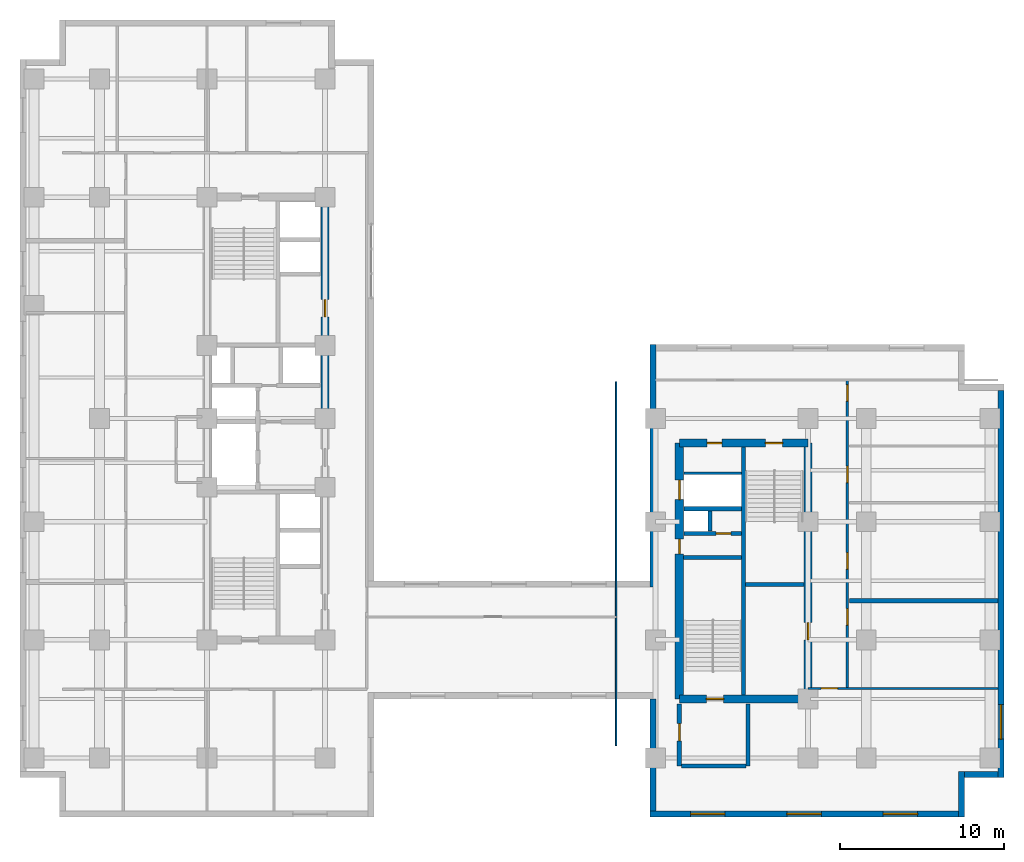
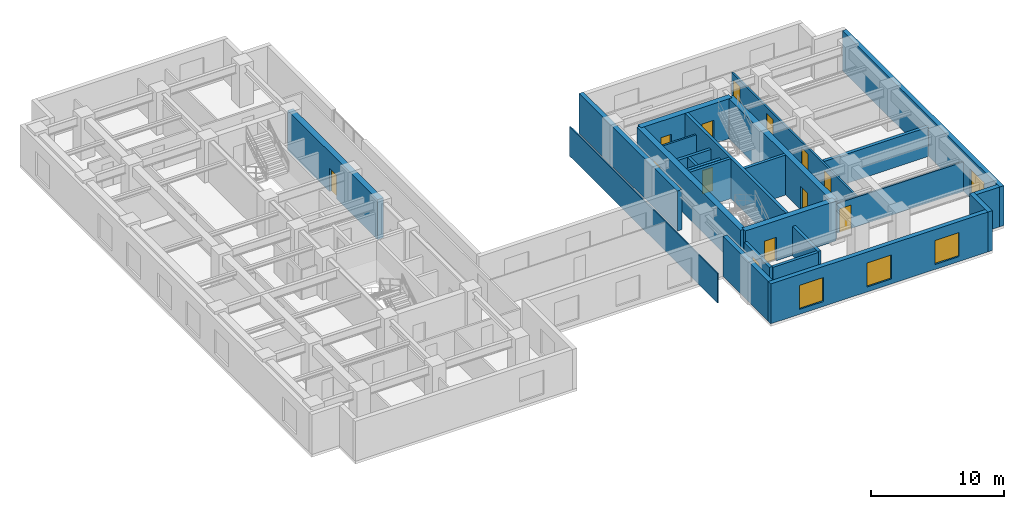
# One storey, part 7 of 11: 25 walls, 14 doors, 4 windows, 18 openings.
"""IFC4 building model written with IfcOpenShell, lengths in metres."""

from ifc_helpers import new_model, entity, si_unit, converted_unit, direction, frame, origin_with_axes, origin_2d_with_axis, place, context, subcontext, project, spatial, polyline, rectangle, outline, extrude, material, layer, layer_set, type_object, element, fill, save


model = new_model("IFC4")

# Units and contexts
model_context = context("Model", 3, precision=1e-05, world=origin_with_axes(), true_north=direction((0.0, 1.0)))
body_context = subcontext(model_context, "Body", "Model", "MODEL_VIEW")
ifc_project = project(units=[si_unit("LENGTHUNIT", "METRE"), si_unit("AREAUNIT", "SQUARE_METRE"), si_unit("VOLUMEUNIT", "CUBIC_METRE"), converted_unit("PLANEANGLEUNIT", "DEGREE", entity("IfcPlaneAngleMeasure", 0.017453292519943295), si_unit("PLANEANGLEUNIT", "RADIAN"), dimensions=[0, 0, 0, 0, 0, 0, 0]), si_unit("MASSUNIT", "GRAM", prefix="KILO"), si_unit("THERMODYNAMICTEMPERATUREUNIT", "KELVIN")], contexts=[model_context])

# Site, building, storey
site_placement = place(None, origin_with_axes())
site = spatial("IfcSite", under=ifc_project, at=site_placement, CompositionType="ELEMENT")
building_placement = place(site_placement, origin_with_axes())
building = spatial("IfcBuilding", under=site, at=building_placement, Name="Varnlund Millrace Tower", CompositionType="ELEMENT")
storey_placement = place(building_placement, frame((0.0, 0.0, 104.7), z_axis=(0.0, 0.0, 1.0), x_axis=(1.0, 0.0, 0.0)))
storey = spatial("IfcBuildingStorey", under=building, at=storey_placement, Name="L25", CompositionType="ELEMENT", Elevation=104.7)

# Wall, opening, door
ifc_material_1 = material(Name="Concrete C70/85", Category="concrete")
ifc_layer_1 = layer(ifc_material_1, 0.5, Name="Concrete C70/85")
ifc_layer_set_1 = layer_set([ifc_layer_1], Name="Concrete C70/85")
wall_type_1 = type_object("IfcWallType", Name="Type-CoreWall-Shear-500-C70", PredefinedType="SHEAR", material=ifc_layer_set_1)
wall_1_placement = place(storey_placement, frame((18.6, 24.3, 0.0), z_axis=(0.0, 0.0, 1.0), x_axis=(0.0, 1.0, 0.0)))
wall_1 = element("IfcWall", 1, at=wall_1_placement, inside=storey, type_object=wall_type_1, Name="Type-CoreWall-Shear-500-C70", PredefinedType="SHEAR", context=body_context, shape_type="SweptSolid", body=[
    extrude(outline(polyline([(0.0, -0.25), (13.5, -0.25), (13.5, 0.25), (0.0, 0.25), (0.0, -0.25)])), origin_with_axes(), (0.0, 0.0, 1.0), 3.66),
])
opening_1_placement = place(wall_1_placement, frame((6.725, 0.0, 0.0), z_axis=(0.0, 0.0, 1.0), x_axis=(1.0, 0.0, 0.0)))
opening_1 = element("IfcOpeningElement", 2, at=opening_1_placement, cuts=wall_1, Name="Opening L25:DR-CA-WC1", PredefinedType="OPENING", context=body_context, shape_type="SweptSolid", body=[
    extrude(rectangle(XDim=1.05, YDim=0.52, at=origin_2d_with_axis()), origin_with_axes(), (0.0, 0.0, 1.0), 2.15),
])
ifc_material_2 = material(Name="Smoke-barrier hollow steel fire door", Category="steel")
door_type_1 = type_object("IfcDoorType", Name="Type-FireDoor-Lobby-1050X2150", OperationType="NOTDEFINED", PredefinedType="DOOR", material=ifc_material_2)
door_1_placement = place(wall_1_placement, frame((6.725, 0.0, 0.0), z_axis=(0.0, 0.0, 1.0), x_axis=(1.0, 0.0, 0.0)))
door_1 = element("IfcDoor", 3, at=door_1_placement, inside=storey, type_object=door_type_1, Name="Type-FireDoor-Lobby-1050X2150", OperationType="SINGLE_SWING_LEFT", OverallHeight=2.15, OverallWidth=1.05, PredefinedType="DOOR", context=body_context, shape_type="SweptSolid", body=[
    extrude(rectangle(XDim=1.05, YDim=0.09, at=origin_2d_with_axis()), origin_with_axes(), (0.0, 0.0, 1.0), 2.15),
])
fill(opening_1, door_1)

# Wall, openings, doors
wall_2_placement = place(storey_placement, frame((40.2, 7.2, 0.0), z_axis=(0.0, 0.0, 1.0), x_axis=(0.0, 1.0, 0.0)))
wall_2 = element("IfcWall", 4, at=wall_2_placement, inside=storey, type_object=wall_type_1, Name="Type-CoreWall-Shear-500-C70", PredefinedType="SHEAR", context=body_context, shape_type="SweptSolid", body=[
    extrude(outline(polyline([(0.0, -0.25), (15.6, -0.25), (15.6, 0.25), (0.0, 0.25), (0.0, -0.25)])), origin_with_axes(), (0.0, 0.0, 1.0), 3.66),
])
opening_2_placement = place(wall_2_placement, frame((12.75, 0.0, 0.0), z_axis=(0.0, 0.0, 1.0), x_axis=(1.0, 0.0, 0.0)))
opening_2 = element("IfcOpeningElement", 5, at=opening_2_placement, cuts=wall_2, Name="Opening L25:LD-SRV2", PredefinedType="OPENING", context=body_context, shape_type="SweptSolid", body=[
    extrude(rectangle(XDim=1.2, YDim=0.52, at=origin_2d_with_axis()), origin_with_axes(), (0.0, 0.0, 1.0), 2.15),
])
opening_3_placement = place(wall_2_placement, frame((9.3, 0.0, 0.0), z_axis=(0.0, 0.0, 1.0), x_axis=(1.0, 0.0, 0.0)))
opening_3 = element("IfcOpeningElement", 6, at=opening_3_placement, cuts=wall_2, Name="Opening L25:DR-CB-JAN", PredefinedType="OPENING", context=body_context, shape_type="SweptSolid", body=[
    extrude(rectangle(XDim=0.9, YDim=0.52, at=origin_2d_with_axis()), origin_with_axes(), (0.0, 0.0, 1.0), 2.15),
])
ifc_material_3 = material(Name="Fire-rated hollow steel service closet door", Category="steel")
door_type_2 = type_object("IfcDoorType", Name="Type-FireDoor-Closet-900X2150", OperationType="NOTDEFINED", PredefinedType="DOOR", material=ifc_material_3)
door_2_placement = place(wall_2_placement, frame((9.3, 0.0, 0.0), z_axis=(0.0, 0.0, 1.0), x_axis=(1.0, 0.0, 0.0)))
door_2 = element("IfcDoor", 7, at=door_2_placement, inside=storey, type_object=door_type_2, Name="Type-FireDoor-Closet-900X2150", OperationType="SINGLE_SWING_RIGHT", OverallHeight=2.15, OverallWidth=0.9, PredefinedType="DOOR", context=body_context, shape_type="SweptSolid", body=[
    extrude(rectangle(XDim=0.9, YDim=0.09, at=origin_2d_with_axis()), origin_with_axes(), (0.0, 0.0, 1.0), 2.15),
])
fill(opening_3, door_2)
ifc_material_4 = material(Name="Heavy-duty freight sliding landing door")
door_type_3 = type_object("IfcDoorType", Name="Type-LiftLandingDoor-Service-1200X2150", OperationType="NOTDEFINED", PredefinedType="DOOR", material=ifc_material_4)
door_3_placement = place(wall_2_placement, frame((12.75, 0.0, 0.0), z_axis=(0.0, 0.0, 1.0), x_axis=(1.0, 0.0, 0.0)))
door_3 = element("IfcDoor", 8, at=door_3_placement, inside=storey, type_object=door_type_3, Name="Type-LiftLandingDoor-Service-1200X2150", OperationType="DOUBLE_DOOR_SLIDING", OverallHeight=2.15, OverallWidth=1.2, PredefinedType="DOOR", context=body_context, shape_type="SweptSolid", body=[
    extrude(rectangle(XDim=1.2, YDim=0.09, at=origin_2d_with_axis()), origin_with_axes(), (0.0, 0.0, 1.0), 2.15),
])
fill(opening_2, door_3)

# Wall, opening, door
wall_3_placement = place(storey_placement, frame((40.2, 7.2, 0.0), z_axis=(0.0, 0.0, 1.0), x_axis=(1.0, 0.0, 0.0)))
wall_3 = element("IfcWall", 9, at=wall_3_placement, inside=storey, type_object=wall_type_1, Name="Type-CoreWall-Shear-500-C70", PredefinedType="SHEAR", context=body_context, shape_type="SweptSolid", body=[
    extrude(outline(polyline([(0.0, -0.25), (7.85, -0.25), (7.85, 0.25), (0.0, 0.25), (0.0, -0.25)])), origin_with_axes(), (0.0, 0.0, 1.0), 3.66),
])
opening_4_placement = place(wall_3_placement, frame((2.175, 0.0, 0.0), z_axis=(0.0, 0.0, 1.0), x_axis=(1.0, 0.0, 0.0)))
opening_4 = element("IfcOpeningElement", 10, at=opening_4_placement, cuts=wall_3, Name="Opening L25:DR-STB1", PredefinedType="OPENING", context=body_context, shape_type="SweptSolid", body=[
    extrude(rectangle(XDim=1.05, YDim=0.52, at=origin_2d_with_axis()), origin_with_axes(), (0.0, 0.0, 1.0), 2.15),
])
ifc_material_5 = material(Name="Fire-rated hollow steel door", Category="steel")
door_type_4 = type_object("IfcDoorType", Name="Type-FireDoor-Stair-1050X2150", OperationType="NOTDEFINED", PredefinedType="DOOR", material=ifc_material_5)
door_4_placement = place(wall_3_placement, frame((2.175, 0.0, 0.0), z_axis=(0.0, 0.0, 1.0), x_axis=(1.0, 0.0, 0.0)))
door_4 = element("IfcDoor", 11, at=door_4_placement, inside=storey, type_object=door_type_4, Name="Type-FireDoor-Stair-1050X2150", OperationType="SINGLE_SWING_LEFT", OverallHeight=2.15, OverallWidth=1.05, PredefinedType="DOOR", context=body_context, shape_type="SweptSolid", body=[
    extrude(rectangle(XDim=1.05, YDim=0.09, at=origin_2d_with_axis()), origin_with_axes(), (0.0, 0.0, 1.0), 2.15),
])
fill(opening_4, door_4)

# Wall, openings, doors
wall_4_placement = place(storey_placement, frame((40.2, 22.8, 0.0), z_axis=(0.0, 0.0, 1.0), x_axis=(1.0, 0.0, 0.0)))
wall_4 = element("IfcWall", 12, at=wall_4_placement, inside=storey, type_object=wall_type_1, Name="Type-CoreWall-Shear-500-C70", PredefinedType="SHEAR", context=body_context, shape_type="SweptSolid", body=[
    extrude(outline(polyline([(0.0, -0.25), (7.85, -0.25), (7.85, 0.25), (0.0, 0.25), (0.0, -0.25)])), origin_with_axes(), (0.0, 0.0, 1.0), 3.66),
])
opening_5_placement = place(wall_4_placement, frame((5.775, 0.0, 0.0), z_axis=(0.0, 0.0, 1.0), x_axis=(1.0, 0.0, 0.0)))
opening_5 = element("IfcOpeningElement", 13, at=opening_5_placement, cuts=wall_4, Name="Opening L25:DR-STB2", PredefinedType="OPENING", context=body_context, shape_type="SweptSolid", body=[
    extrude(rectangle(XDim=1.05, YDim=0.52, at=origin_2d_with_axis()), origin_with_axes(), (0.0, 0.0, 1.0), 2.15),
])
opening_6_placement = place(wall_4_placement, frame((2.15, 0.0, 0.0), z_axis=(0.0, 0.0, 1.0), x_axis=(1.0, 0.0, 0.0)))
opening_6 = element("IfcOpeningElement", 14, at=opening_6_placement, cuts=wall_4, Name="Opening L25:DR-CB-NW", PredefinedType="OPENING", context=body_context, shape_type="SweptSolid", body=[
    extrude(rectangle(XDim=0.9, YDim=0.52, at=origin_2d_with_axis()), origin_with_axes(), (0.0, 0.0, 1.0), 2.15),
])
door_5_placement = place(wall_4_placement, frame((2.15, 0.0, 0.0), z_axis=(0.0, 0.0, 1.0), x_axis=(1.0, 0.0, 0.0)))
door_5 = element("IfcDoor", 15, at=door_5_placement, inside=storey, type_object=door_type_2, Name="Type-FireDoor-Closet-900X2150", OperationType="SINGLE_SWING_LEFT", OverallHeight=2.15, OverallWidth=0.9, PredefinedType="DOOR", context=body_context, shape_type="SweptSolid", body=[
    extrude(rectangle(XDim=0.9, YDim=0.09, at=origin_2d_with_axis()), origin_with_axes(), (0.0, 0.0, 1.0), 2.15),
])
fill(opening_6, door_5)
door_6_placement = place(wall_4_placement, frame((5.775, 0.0, 0.0), z_axis=(0.0, 0.0, 1.0), x_axis=(1.0, 0.0, 0.0)))
door_6 = element("IfcDoor", 16, at=door_6_placement, inside=storey, type_object=door_type_4, Name="Type-FireDoor-Stair-1050X2150", OperationType="SINGLE_SWING_RIGHT", OverallHeight=2.15, OverallWidth=1.05, PredefinedType="DOOR", context=body_context, shape_type="SweptSolid", body=[
    extrude(rectangle(XDim=1.05, YDim=0.09, at=origin_2d_with_axis()), origin_with_axes(), (0.0, 0.0, 1.0), 2.15),
])
fill(opening_5, door_6)

# Wall, opening, door
wall_5_placement = place(storey_placement, frame((48.05, 7.2, 0.0), z_axis=(0.0, 0.0, 1.0), x_axis=(0.0, 1.0, 0.0)))
wall_5 = element("IfcWall", 17, at=wall_5_placement, inside=storey, type_object=wall_type_1, Name="Type-CoreWall-Shear-500-C70", PredefinedType="SHEAR", context=body_context, shape_type="SweptSolid", body=[
    extrude(outline(polyline([(0.0, -0.25), (15.6, -0.25), (15.6, 0.25), (0.0, 0.25), (0.0, -0.25)])), origin_with_axes(), (0.0, 0.0, 1.0), 3.66),
])
opening_7_placement = place(wall_5_placement, frame((4.125, 0.0, 0.0), z_axis=(0.0, 0.0, 1.0), x_axis=(1.0, 0.0, 0.0)))
opening_7 = element("IfcOpeningElement", 18, at=opening_7_placement, cuts=wall_5, Name="Opening L25:DR-CB-WC", PredefinedType="OPENING", context=body_context, shape_type="SweptSolid", body=[
    extrude(rectangle(XDim=1.05, YDim=0.52, at=origin_2d_with_axis()), origin_with_axes(), (0.0, 0.0, 1.0), 2.15),
])
door_7_placement = place(wall_5_placement, frame((4.125, 0.0, 0.0), z_axis=(0.0, 0.0, 1.0), x_axis=(1.0, 0.0, 0.0)))
door_7 = element("IfcDoor", 19, at=door_7_placement, inside=storey, type_object=door_type_1, Name="Type-FireDoor-Lobby-1050X2150", OperationType="SINGLE_SWING_LEFT", OverallHeight=2.15, OverallWidth=1.05, PredefinedType="DOOR", context=body_context, shape_type="SweptSolid", body=[
    extrude(rectangle(XDim=1.05, YDim=0.09, at=origin_2d_with_axis()), origin_with_axes(), (0.0, 0.0, 1.0), 2.15),
])
fill(opening_7, door_7)

# Wall
ifc_material_6 = material(Name="Precast concrete C50/60", Category="concrete")
ifc_layer_2 = layer(ifc_material_6, 0.38, Name="Precast concrete C50/60")
ifc_layer_set_2 = layer_set([ifc_layer_2], Name="Precast concrete C50/60")
wall_type_2 = type_object("IfcWallType", Name="Type-ExtWall-Precast-Tube-380", PredefinedType="SOLIDWALL", material=ifc_layer_set_2)
wall_6_placement = place(storey_placement, frame((38.59, 14.02, 0.0), z_axis=(0.0, 0.0, 1.0), x_axis=(0.0, 1.0, 0.0)))
element("IfcWall", 20, at=wall_6_placement, inside=storey, type_object=wall_type_2, Name="Type-ExtWall-Precast-Tube-380", PredefinedType="SOLIDWALL", context=body_context, shape_type="SweptSolid", body=[
    extrude(outline(polyline([(0.0, -0.19), (14.78, -0.19), (14.78, 0.19), (0.0, 0.19), (0.0, -0.19)])), origin_with_axes(), (0.0, 0.0, 1.0), 3.66),
])

# Wall, opening, window
wall_7_placement = place(storey_placement, frame((59.81, 26.02, 0.0), z_axis=(0.0, 0.0, 1.0), x_axis=(0.0, -1.0, 0.0)))
wall_7 = element("IfcWall", 21, at=wall_7_placement, inside=storey, type_object=wall_type_2, Name="Type-ExtWall-Precast-Tube-380", PredefinedType="SOLIDWALL", context=body_context, shape_type="SweptSolid", body=[
    extrude(outline(polyline([(0.0, -0.19), (23.62, -0.19), (23.62, 0.19), (0.0, 0.19), (0.0, -0.19)])), origin_with_axes(), (0.0, 0.0, 1.0), 3.66),
])
opening_8_placement = place(wall_7_placement, frame((20.218, 0.0, 0.45), z_axis=(0.0, 0.0, 1.0), x_axis=(1.0, 0.0, 0.0)))
opening_8 = element("IfcOpeningElement", 22, at=opening_8_placement, cuts=wall_7, Name="Opening L25:WN-04", PredefinedType="OPENING", context=body_context, shape_type="SweptSolid", body=[
    extrude(rectangle(XDim=2.1, YDim=0.4, at=origin_2d_with_axis()), origin_with_axes(), (0.0, 0.0, 1.0), 2.2),
])
ifc_material_7 = material(Name="Argon low-e triple glazing in thermally broken bronze frame", Category="glass")
window_type = type_object("IfcWindowType", Name="Type-Window-Punched-2100X2200", PartitioningType="SINGLE_PANEL", PredefinedType="WINDOW", material=ifc_material_7)
window_1_placement = place(wall_7_placement, frame((20.218, 0.0, 0.45), z_axis=(0.0, 0.0, 1.0), x_axis=(1.0, 0.0, 0.0)))
window_1 = element("IfcWindow", 23, at=window_1_placement, inside=storey, type_object=window_type, Name="Type-Window-Punched-2100X2200", OverallHeight=2.2, OverallWidth=2.1, PredefinedType="WINDOW", context=body_context, shape_type="SweptSolid", body=[
    extrude(rectangle(XDim=2.1, YDim=0.09, at=origin_2d_with_axis()), origin_with_axes(), (0.0, 0.0, 1.0), 2.2),
])
fill(opening_8, window_1)

# Walls
wall_8_placement = place(storey_placement, frame((59.62, 2.59, 0.0), z_axis=(0.0, 0.0, 1.0), x_axis=(-1.0, 0.0, 0.0)))
element("IfcWall", 24, at=wall_8_placement, inside=storey, type_object=wall_type_2, Name="Type-ExtWall-Precast-Tube-380", PredefinedType="SOLIDWALL", context=body_context, shape_type="SweptSolid", body=[
    extrude(outline(polyline([(0.0, -0.19), (2.02, -0.19), (2.02, 0.19), (0.0, 0.19), (0.0, -0.19)])), origin_with_axes(), (0.0, 0.0, 1.0), 3.66),
])
wall_9_placement = place(storey_placement, frame((57.41, 2.78, 0.0), z_axis=(0.0, 0.0, 1.0), x_axis=(0.0, -1.0, 0.0)))
element("IfcWall", 25, at=wall_9_placement, inside=storey, type_object=wall_type_2, Name="Type-ExtWall-Precast-Tube-380", PredefinedType="SOLIDWALL", context=body_context, shape_type="SweptSolid", body=[
    extrude(outline(polyline([(0.0, -0.19), (2.78, -0.19), (2.78, 0.19), (0.0, 0.19), (0.0, -0.19)])), origin_with_axes(), (0.0, 0.0, 1.0), 3.66),
])

# Wall, openings, windows
wall_10_placement = place(storey_placement, frame((57.22, 0.19, 0.0), z_axis=(0.0, 0.0, 1.0), x_axis=(-1.0, 0.0, 0.0)))
wall_10 = element("IfcWall", 26, at=wall_10_placement, inside=storey, type_object=wall_type_2, Name="Type-ExtWall-Precast-Tube-380", PredefinedType="SOLIDWALL", context=body_context, shape_type="SweptSolid", body=[
    extrude(outline(polyline([(0.0, -0.19), (18.82, -0.19), (18.82, 0.19), (0.0, 0.19), (0.0, -0.19)])), origin_with_axes(), (0.0, 0.0, 1.0), 3.66),
])
opening_9_placement = place(wall_10_placement, frame((3.537, 0.0, 0.45), z_axis=(0.0, 0.0, 1.0), x_axis=(1.0, 0.0, 0.0)))
opening_9 = element("IfcOpeningElement", 27, at=opening_9_placement, cuts=wall_10, Name="Opening L25:WN-05", PredefinedType="OPENING", context=body_context, shape_type="SweptSolid", body=[
    extrude(rectangle(XDim=2.1, YDim=0.4, at=origin_2d_with_axis()), origin_with_axes(), (0.0, 0.0, 1.0), 2.2),
])
opening_10_placement = place(wall_10_placement, frame((9.41, 0.0, 0.45), z_axis=(0.0, 0.0, 1.0), x_axis=(1.0, 0.0, 0.0)))
opening_10 = element("IfcOpeningElement", 28, at=opening_10_placement, cuts=wall_10, Name="Opening L25:WN-06", PredefinedType="OPENING", context=body_context, shape_type="SweptSolid", body=[
    extrude(rectangle(XDim=2.1, YDim=0.4, at=origin_2d_with_axis()), origin_with_axes(), (0.0, 0.0, 1.0), 2.2),
])
opening_11_placement = place(wall_10_placement, frame((15.283, 0.0, 0.45), z_axis=(0.0, 0.0, 1.0), x_axis=(1.0, 0.0, 0.0)))
opening_11 = element("IfcOpeningElement", 29, at=opening_11_placement, cuts=wall_10, Name="Opening L25:WN-07", PredefinedType="OPENING", context=body_context, shape_type="SweptSolid", body=[
    extrude(rectangle(XDim=2.1, YDim=0.4, at=origin_2d_with_axis()), origin_with_axes(), (0.0, 0.0, 1.0), 2.2),
])
window_2_placement = place(wall_10_placement, frame((3.537, 0.0, 0.45), z_axis=(0.0, 0.0, 1.0), x_axis=(1.0, 0.0, 0.0)))
window_2 = element("IfcWindow", 30, at=window_2_placement, inside=storey, type_object=window_type, Name="Type-Window-Punched-2100X2200", OverallHeight=2.2, OverallWidth=2.1, PredefinedType="WINDOW", context=body_context, shape_type="SweptSolid", body=[
    extrude(rectangle(XDim=2.1, YDim=0.09, at=origin_2d_with_axis()), origin_with_axes(), (0.0, 0.0, 1.0), 2.2),
])
fill(opening_9, window_2)
window_3_placement = place(wall_10_placement, frame((9.41, 0.0, 0.45), z_axis=(0.0, 0.0, 1.0), x_axis=(1.0, 0.0, 0.0)))
window_3 = element("IfcWindow", 31, at=window_3_placement, inside=storey, type_object=window_type, Name="Type-Window-Punched-2100X2200", OverallHeight=2.2, OverallWidth=2.1, PredefinedType="WINDOW", context=body_context, shape_type="SweptSolid", body=[
    extrude(rectangle(XDim=2.1, YDim=0.09, at=origin_2d_with_axis()), origin_with_axes(), (0.0, 0.0, 1.0), 2.2),
])
fill(opening_10, window_3)
window_4_placement = place(wall_10_placement, frame((15.283, 0.0, 0.45), z_axis=(0.0, 0.0, 1.0), x_axis=(1.0, 0.0, 0.0)))
window_4 = element("IfcWindow", 32, at=window_4_placement, inside=storey, type_object=window_type, Name="Type-Window-Punched-2100X2200", OverallHeight=2.2, OverallWidth=2.1, PredefinedType="WINDOW", context=body_context, shape_type="SweptSolid", body=[
    extrude(rectangle(XDim=2.1, YDim=0.09, at=origin_2d_with_axis()), origin_with_axes(), (0.0, 0.0, 1.0), 2.2),
])
fill(opening_11, window_4)

# Walls
wall_11_placement = place(storey_placement, frame((38.59, 0.38, 0.0), z_axis=(0.0, 0.0, 1.0), x_axis=(0.0, 1.0, 0.0)))
element("IfcWall", 33, at=wall_11_placement, inside=storey, type_object=wall_type_2, Name="Type-ExtWall-Precast-Tube-380", PredefinedType="SOLIDWALL", context=body_context, shape_type="SweptSolid", body=[
    extrude(outline(polyline([(0.0, -0.19), (6.82, -0.19), (6.82, 0.19), (0.0, 0.19), (0.0, -0.19)])), origin_with_axes(), (0.0, 0.0, 1.0), 3.66),
])
ifc_material_8 = material(Name="Double-stud STC-60 conference acoustic partition", Category="gypsum")
ifc_layer_3 = layer(ifc_material_8, 0.28, Name="Double-stud STC-60 conference acoustic partition")
ifc_layer_set_3 = layer_set([ifc_layer_3], Name="Double-stud STC-60 conference acoustic partition")
wall_type_3 = type_object("IfcWallType", Name="Type-Partition-Acoustic-280", PredefinedType="PARTITIONING", material=ifc_layer_set_3)
wall_12_placement = place(storey_placement, frame((50.57, 13.192, 0.0), z_axis=(0.0, 0.0, 1.0), x_axis=(1.0, 0.0, 0.0)))
element("IfcWall", 34, at=wall_12_placement, inside=storey, type_object=wall_type_3, Name="Type-Partition-Acoustic-280", PredefinedType="PARTITIONING", context=body_context, shape_type="SweptSolid", body=[
    extrude(outline(polyline([(0.0, -0.14), (9.055, -0.14), (9.055, 0.14), (0.0, 0.14), (0.0, -0.14)])), origin_with_axes(), (0.0, 0.0, 1.0), 2.7),
])
ifc_material_9 = material(Name="Fire-rated gypsum board on cold-formed steel framing", Category="steel")
ifc_layer_4 = layer(ifc_material_9, 0.16, Name="Fire-rated gypsum board on cold-formed steel framing")
ifc_layer_set_4 = layer_set([ifc_layer_4], Name="Fire-rated gypsum board on cold-formed steel framing")
wall_type_4 = type_object("IfcWallType", Name="Type-Partition-Corridor-160", PredefinedType="PARTITIONING", material=ifc_layer_set_4)
wall_13_placement = place(storey_placement, frame((40.5, 20.96, 0.0), z_axis=(0.0, 0.0, 1.0), x_axis=(1.0, 0.0, 0.0)))
element("IfcWall", 35, at=wall_13_placement, inside=storey, type_object=wall_type_4, Name="Type-Partition-Corridor-160", PredefinedType="PARTITIONING", context=body_context, shape_type="SweptSolid", body=[
    extrude(outline(polyline([(0.0, -0.08), (3.5, -0.08), (3.5, 0.08), (0.0, 0.08), (0.0, -0.08)])), origin_with_axes(), (0.0, 0.0, 1.0), 2.7),
])

# Wall, openings, doors
wall_14_placement = place(storey_placement, frame((50.45, 7.85, 0.0), z_axis=(0.0, 0.0, 1.0), x_axis=(0.0, 1.0, 0.0)))
wall_14 = element("IfcWall", 36, at=wall_14_placement, inside=storey, type_object=wall_type_4, Name="Type-Partition-Corridor-160", PredefinedType="PARTITIONING", context=body_context, shape_type="SweptSolid", body=[
    extrude(outline(polyline([(0.0, -0.08), (18.8, -0.08), (18.8, 0.08), (0.0, 0.08), (0.0, -0.08)])), origin_with_axes(), (0.0, 0.0, 1.0), 2.7),
])
opening_12_placement = place(wall_14_placement, frame((4.351, 0.0, 0.0), z_axis=(0.0, 0.0, 1.0), x_axis=(1.0, 0.0, 0.0)))
opening_12 = element("IfcOpeningElement", 37, at=opening_12_placement, cuts=wall_14, Name="Opening L25:DR-WB-01", PredefinedType="OPENING", context=body_context, shape_type="SweptSolid", body=[
    extrude(rectangle(XDim=1.0, YDim=0.18, at=origin_2d_with_axis()), origin_with_axes(), (0.0, 0.0, 1.0), 2.15),
])
opening_13_placement = place(wall_14_placement, frame((7.768, 0.0, 0.0), z_axis=(0.0, 0.0, 1.0), x_axis=(1.0, 0.0, 0.0)))
opening_13 = element("IfcOpeningElement", 38, at=opening_13_placement, cuts=wall_14, Name="Opening L25:DR-WB-02", PredefinedType="OPENING", context=body_context, shape_type="SweptSolid", body=[
    extrude(rectangle(XDim=1.0, YDim=0.18, at=origin_2d_with_axis()), origin_with_axes(), (0.0, 0.0, 1.0), 2.15),
])
opening_14_placement = place(wall_14_placement, frame((13.043, 0.0, 0.0), z_axis=(0.0, 0.0, 1.0), x_axis=(1.0, 0.0, 0.0)))
opening_14 = element("IfcOpeningElement", 39, at=opening_14_placement, cuts=wall_14, Name="Opening L25:DR-WB-03", PredefinedType="OPENING", context=body_context, shape_type="SweptSolid", body=[
    extrude(rectangle(XDim=1.0, YDim=0.18, at=origin_2d_with_axis()), origin_with_axes(), (0.0, 0.0, 1.0), 2.15),
])
opening_15_placement = place(wall_14_placement, frame((18.005, 0.0, 0.0), z_axis=(0.0, 0.0, 1.0), x_axis=(1.0, 0.0, 0.0)))
opening_15 = element("IfcOpeningElement", 40, at=opening_15_placement, cuts=wall_14, Name="Opening L25:DR-WB-04", PredefinedType="OPENING", context=body_context, shape_type="SweptSolid", body=[
    extrude(rectangle(XDim=1.0, YDim=0.18, at=origin_2d_with_axis()), origin_with_axes(), (0.0, 0.0, 1.0), 2.15),
])
ifc_material_10 = material(Name="Solid-core white oak and bronze frame door")
door_type_5 = type_object("IfcDoorType", Name="Type-IntDoor-Office-1000X2150", OperationType="NOTDEFINED", PredefinedType="DOOR", material=ifc_material_10)
door_8_placement = place(wall_14_placement, frame((4.351, 0.0, 0.0), z_axis=(0.0, 0.0, 1.0), x_axis=(1.0, 0.0, 0.0)))
door_8 = element("IfcDoor", 41, at=door_8_placement, inside=storey, type_object=door_type_5, Name="Type-IntDoor-Office-1000X2150", OperationType="SINGLE_SWING_LEFT", OverallHeight=2.15, OverallWidth=1.0, PredefinedType="DOOR", context=body_context, shape_type="SweptSolid", body=[
    extrude(rectangle(XDim=1.0, YDim=0.09, at=origin_2d_with_axis()), origin_with_axes(), (0.0, 0.0, 1.0), 2.15),
])
fill(opening_12, door_8)
door_9_placement = place(wall_14_placement, frame((7.768, 0.0, 0.0), z_axis=(0.0, 0.0, 1.0), x_axis=(1.0, 0.0, 0.0)))
door_9 = element("IfcDoor", 42, at=door_9_placement, inside=storey, type_object=door_type_5, Name="Type-IntDoor-Office-1000X2150", OperationType="SINGLE_SWING_RIGHT", OverallHeight=2.15, OverallWidth=1.0, PredefinedType="DOOR", context=body_context, shape_type="SweptSolid", body=[
    extrude(rectangle(XDim=1.0, YDim=0.09, at=origin_2d_with_axis()), origin_with_axes(), (0.0, 0.0, 1.0), 2.15),
])
fill(opening_13, door_9)
door_10_placement = place(wall_14_placement, frame((13.043, 0.0, 0.0), z_axis=(0.0, 0.0, 1.0), x_axis=(1.0, 0.0, 0.0)))
door_10 = element("IfcDoor", 43, at=door_10_placement, inside=storey, type_object=door_type_5, Name="Type-IntDoor-Office-1000X2150", OperationType="SINGLE_SWING_LEFT", OverallHeight=2.15, OverallWidth=1.0, PredefinedType="DOOR", context=body_context, shape_type="SweptSolid", body=[
    extrude(rectangle(XDim=1.0, YDim=0.09, at=origin_2d_with_axis()), origin_with_axes(), (0.0, 0.0, 1.0), 2.15),
])
fill(opening_14, door_10)
door_11_placement = place(wall_14_placement, frame((18.005, 0.0, 0.0), z_axis=(0.0, 0.0, 1.0), x_axis=(1.0, 0.0, 0.0)))
door_11 = element("IfcDoor", 44, at=door_11_placement, inside=storey, type_object=door_type_5, Name="Type-IntDoor-Office-1000X2150", OperationType="SINGLE_SWING_RIGHT", OverallHeight=2.15, OverallWidth=1.0, PredefinedType="DOOR", context=body_context, shape_type="SweptSolid", body=[
    extrude(rectangle(XDim=1.0, YDim=0.09, at=origin_2d_with_axis()), origin_with_axes(), (0.0, 0.0, 1.0), 2.15),
])
fill(opening_15, door_11)

# Wall
ifc_material_11 = material(Name="Architectural bronze and acoustic glass office front", Category="glass")
ifc_layer_5 = layer(ifc_material_11, 0.1, Name="Architectural bronze and acoustic glass office front")
ifc_layer_set_5 = layer_set([ifc_layer_5], Name="Architectural bronze and acoustic glass office front")
wall_type_5 = type_object("IfcWallType", Name="Type-Partition-Glazed-100", PredefinedType="PARTITIONING", material=ifc_layer_set_5)
wall_15_placement = place(storey_placement, frame((36.35, 4.35, 0.0), z_axis=(0.0, 0.0, 1.0), x_axis=(0.0, 1.0, 0.0)))
element("IfcWall", 45, at=wall_15_placement, inside=storey, type_object=wall_type_5, Name="Type-Partition-Glazed-100", PredefinedType="PARTITIONING", context=body_context, shape_type="SweptSolid", body=[
    extrude(outline(polyline([(0.0, -0.05), (22.2, -0.05), (22.2, 0.05), (0.0, 0.05), (0.0, -0.05)])), origin_with_axes(), (0.0, 0.0, 1.0), 2.7),
])

# Wall, opening, door
ifc_material_12 = material(Name="Gypsum board tenant partition", Category="gypsum")
ifc_layer_6 = layer(ifc_material_12, 0.125, Name="Gypsum board tenant partition")
ifc_layer_set_6 = layer_set([ifc_layer_6], Name="Gypsum board tenant partition")
wall_type_6 = type_object("IfcWallType", Name="Type-Partition-Tenant-125", PredefinedType="PARTITIONING", material=ifc_layer_set_6)
wall_16_placement = place(storey_placement, frame((59.64, 7.85, 0.0), z_axis=(0.0, 0.0, 1.0), x_axis=(-1.0, 0.0, 0.0)))
wall_16 = element("IfcWall", 46, at=wall_16_placement, inside=storey, type_object=wall_type_6, Name="Type-Partition-Tenant-125", PredefinedType="PARTITIONING", context=body_context, shape_type="SweptSolid", body=[
    extrude(outline(polyline([(0.0, -0.0625), (11.59, -0.0625), (11.59, 0.0625), (0.0, 0.0625), (0.0, -0.0625)])), origin_with_axes(), (0.0, 0.0, 1.0), 2.7),
])
opening_16_placement = place(wall_16_placement, frame((10.29, 0.0, 0.0), z_axis=(0.0, 0.0, 1.0), x_axis=(1.0, 0.0, 0.0)))
opening_16 = element("IfcOpeningElement", 47, at=opening_16_placement, cuts=wall_16, Name="Opening L25:DR-WBS-01", PredefinedType="OPENING", context=body_context, shape_type="SweptSolid", body=[
    extrude(rectangle(XDim=1.0, YDim=0.145, at=origin_2d_with_axis()), origin_with_axes(), (0.0, 0.0, 1.0), 2.15),
])
door_12_placement = place(wall_16_placement, frame((10.29, 0.0, 0.0), z_axis=(0.0, 0.0, 1.0), x_axis=(1.0, 0.0, 0.0)))
door_12 = element("IfcDoor", 48, at=door_12_placement, inside=storey, type_object=door_type_5, Name="Type-IntDoor-Office-1000X2150", OperationType="SINGLE_SWING_LEFT", OverallHeight=2.15, OverallWidth=1.0, PredefinedType="DOOR", context=body_context, shape_type="SweptSolid", body=[
    extrude(rectangle(XDim=1.0, YDim=0.075, at=origin_2d_with_axis()), origin_with_axes(), (0.0, 0.0, 1.0), 2.15),
])
fill(opening_16, door_12)

ifc_material_13 = material(Name="Concrete C60/75", Category="concrete")
ifc_layer_7 = layer(ifc_material_13, 0.25, Name="Concrete C60/75")
ifc_layer_set_7 = layer_set([ifc_layer_7], Name="Concrete C60/75")
wall_type_7 = type_object("IfcWallType", Name="Type-ShaftWall-Fire-250", PredefinedType="SOLIDWALL", material=ifc_layer_set_7)
wall_17_placement = place(storey_placement, frame((40.5, 17.3, 0.0), z_axis=(0.0, 0.0, 1.0), x_axis=(1.0, 0.0, 0.0)))
wall_17 = element("IfcWall", 49, at=wall_17_placement, inside=storey, type_object=wall_type_7, Name="Type-ShaftWall-Fire-250", PredefinedType="SOLIDWALL", context=body_context, shape_type="SweptSolid", body=[
    extrude(outline(polyline([(0.0, -0.125), (3.5, -0.125), (3.5, 0.125), (0.0, 0.125), (0.0, -0.125)])), origin_with_axes(), (0.0, 0.0, 1.0), 2.7),
])
opening_17_placement = place(wall_17_placement, frame((2.4, 0.0, 0.0), z_axis=(0.0, 0.0, 1.0), x_axis=(1.0, 0.0, 0.0)))
opening_17 = element("IfcOpeningElement", 50, at=opening_17_placement, cuts=wall_17, Name="Opening L25:DR-CB-ELC", PredefinedType="OPENING", context=body_context, shape_type="SweptSolid", body=[
    extrude(rectangle(XDim=0.9, YDim=0.27, at=origin_2d_with_axis()), origin_with_axes(), (0.0, 0.0, 1.0), 2.15),
])
door_13_placement = place(wall_17_placement, frame((2.4, 0.0, 0.0), z_axis=(0.0, 0.0, 1.0), x_axis=(1.0, 0.0, 0.0)))
door_13 = element("IfcDoor", 51, at=door_13_placement, inside=storey, type_object=door_type_2, Name="Type-FireDoor-Closet-900X2150", OperationType="SINGLE_SWING_LEFT", OverallHeight=2.15, OverallWidth=0.9, PredefinedType="DOOR", context=body_context, shape_type="SweptSolid", body=[
    extrude(rectangle(XDim=0.9, YDim=0.09, at=origin_2d_with_axis()), origin_with_axes(), (0.0, 0.0, 1.0), 2.15),
])
fill(opening_17, door_13)

# Walls
wall_18_placement = place(storey_placement, frame((40.5, 18.8, 0.0), z_axis=(0.0, 0.0, 1.0), x_axis=(1.0, 0.0, 0.0)))
element("IfcWall", 52, at=wall_18_placement, inside=storey, type_object=wall_type_7, Name="Type-ShaftWall-Fire-250", PredefinedType="SOLIDWALL", context=body_context, shape_type="SweptSolid", body=[
    extrude(outline(polyline([(0.0, -0.125), (3.5, -0.125), (3.5, 0.125), (0.0, 0.125), (0.0, -0.125)])), origin_with_axes(), (0.0, 0.0, 1.0), 2.7),
])
wall_19_placement = place(storey_placement, frame((42.075, 17.43, 0.0), z_axis=(0.0, 0.0, 1.0), x_axis=(0.0, 1.0, 0.0)))
element("IfcWall", 53, at=wall_19_placement, inside=storey, type_object=wall_type_7, Name="Type-ShaftWall-Fire-250", PredefinedType="SOLIDWALL", context=body_context, shape_type="SweptSolid", body=[
    extrude(outline(polyline([(0.0, -0.125), (1.24, -0.125), (1.24, 0.125), (0.0, 0.125), (0.0, -0.125)])), origin_with_axes(), (0.0, 0.0, 1.0), 2.7),
])

# Wall, opening, door
wall_20_placement = place(storey_placement, frame((40.2, 3.1, 0.0), z_axis=(0.0, 0.0, 1.0), x_axis=(0.0, 1.0, 0.0)))
wall_20 = element("IfcWall", 54, at=wall_20_placement, inside=storey, type_object=wall_type_7, Name="Type-ShaftWall-Fire-250", PredefinedType="SOLIDWALL", context=body_context, shape_type="SweptSolid", body=[
    extrude(outline(polyline([(0.0, -0.125), (3.8, -0.125), (3.8, 0.125), (0.0, 0.125), (0.0, -0.125)])), origin_with_axes(), (0.0, 0.0, 1.0), 2.7),
])
opening_18_placement = place(wall_20_placement, frame((2.075, 0.0, 0.0), z_axis=(0.0, 0.0, 1.0), x_axis=(1.0, 0.0, 0.0)))
opening_18 = element("IfcOpeningElement", 55, at=opening_18_placement, cuts=wall_20, Name="Opening L25:DR-FFLOB-B", PredefinedType="OPENING", context=body_context, shape_type="SweptSolid", body=[
    extrude(rectangle(XDim=1.05, YDim=0.27, at=origin_2d_with_axis()), origin_with_axes(), (0.0, 0.0, 1.0), 2.15),
])
door_14_placement = place(wall_20_placement, frame((2.075, 0.0, 0.0), z_axis=(0.0, 0.0, 1.0), x_axis=(1.0, 0.0, 0.0)))
door_14 = element("IfcDoor", 56, at=door_14_placement, inside=storey, type_object=door_type_1, Name="Type-FireDoor-Lobby-1050X2150", OperationType="SINGLE_SWING_LEFT", OverallHeight=2.15, OverallWidth=1.05, PredefinedType="DOOR", context=body_context, shape_type="SweptSolid", body=[
    extrude(rectangle(XDim=1.05, YDim=0.09, at=origin_2d_with_axis()), origin_with_axes(), (0.0, 0.0, 1.0), 2.15),
])
fill(opening_18, door_14)

# Walls
wall_21_placement = place(storey_placement, frame((40.325, 3.1, 0.0), z_axis=(0.0, 0.0, 1.0), x_axis=(1.0, 0.0, 0.0)))
element("IfcWall", 57, at=wall_21_placement, inside=storey, type_object=wall_type_7, Name="Type-ShaftWall-Fire-250", PredefinedType="SOLIDWALL", context=body_context, shape_type="SweptSolid", body=[
    extrude(outline(polyline([(0.0, -0.125), (3.95, -0.125), (3.95, 0.125), (0.0, 0.125), (0.0, -0.125)])), origin_with_axes(), (0.0, 0.0, 1.0), 2.7),
])
wall_22_placement = place(storey_placement, frame((44.4, 3.1, 0.0), z_axis=(0.0, 0.0, 1.0), x_axis=(0.0, 1.0, 0.0)))
element("IfcWall", 58, at=wall_22_placement, inside=storey, type_object=wall_type_7, Name="Type-ShaftWall-Fire-250", PredefinedType="SOLIDWALL", context=body_context, shape_type="SweptSolid", body=[
    extrude(outline(polyline([(0.0, -0.125), (3.8, -0.125), (3.8, 0.125), (0.0, 0.125), (0.0, -0.125)])), origin_with_axes(), (0.0, 0.0, 1.0), 2.7),
])
wall_type_8 = type_object("IfcWallType", Name="Type-StairWall-Shear-250", PredefinedType="SHEAR", material=ifc_layer_set_7)
wall_23_placement = place(storey_placement, frame((44.125, 7.45, 0.0), z_axis=(0.0, 0.0, 1.0), x_axis=(0.0, 1.0, 0.0)))
element("IfcWall", 59, at=wall_23_placement, inside=storey, type_object=wall_type_8, Name="Type-StairWall-Shear-250", PredefinedType="SHEAR", context=body_context, shape_type="SweptSolid", body=[
    extrude(outline(polyline([(0.0, -0.125), (15.1, -0.125), (15.1, 0.125), (0.0, 0.125), (0.0, -0.125)])), origin_with_axes(), (0.0, 0.0, 1.0), 3.66),
])
for number, where, z_axis, x_axis, name in (
    (60, (40.45, 15.825, 0.0), (0.0, 0.0, 1.0), (1.0, 0.0, 0.0), "Type-StairWall-Shear-250"),
    (61, (44.25, 14.175, 0.0), (0.0, 0.0, 1.0), (1.0, 0.0, 0.0), "Type-StairWall-Shear-250"),
):
    element("IfcWall", number, at=place(storey_placement, frame(where, z_axis=z_axis, x_axis=x_axis)), inside=storey, type_object=wall_type_8, Name=name, PredefinedType="SHEAR", context=body_context, shape_type="SweptSolid", body=[
        extrude(outline(polyline([(0.0, -0.125), (3.55, -0.125), (3.55, 0.125), (0.0, 0.125), (0.0, -0.125)])), origin_with_axes(), (0.0, 0.0, 1.0), 3.66),
    ])

save(model, "model.ifc")
